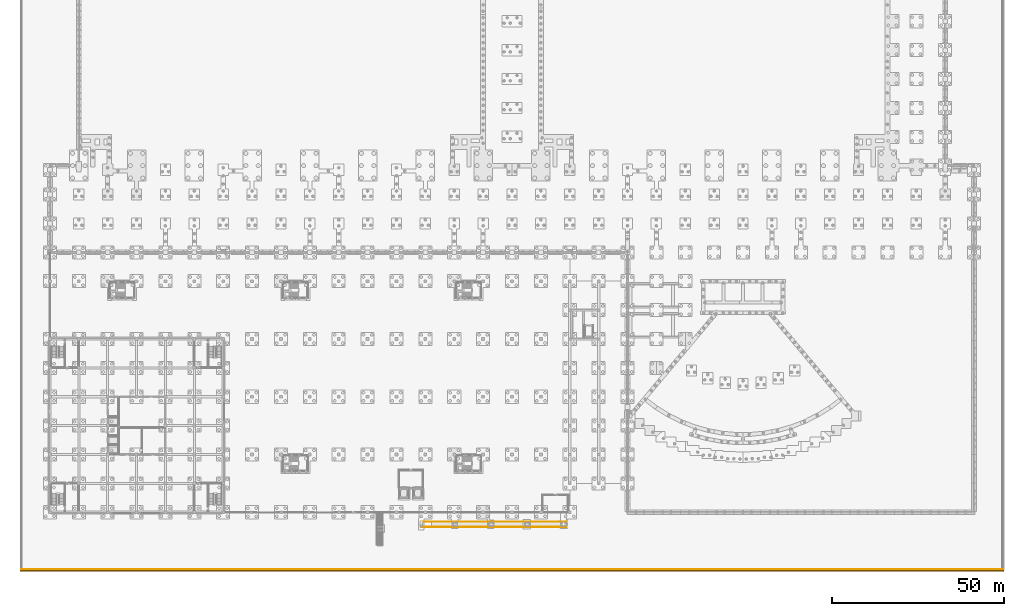
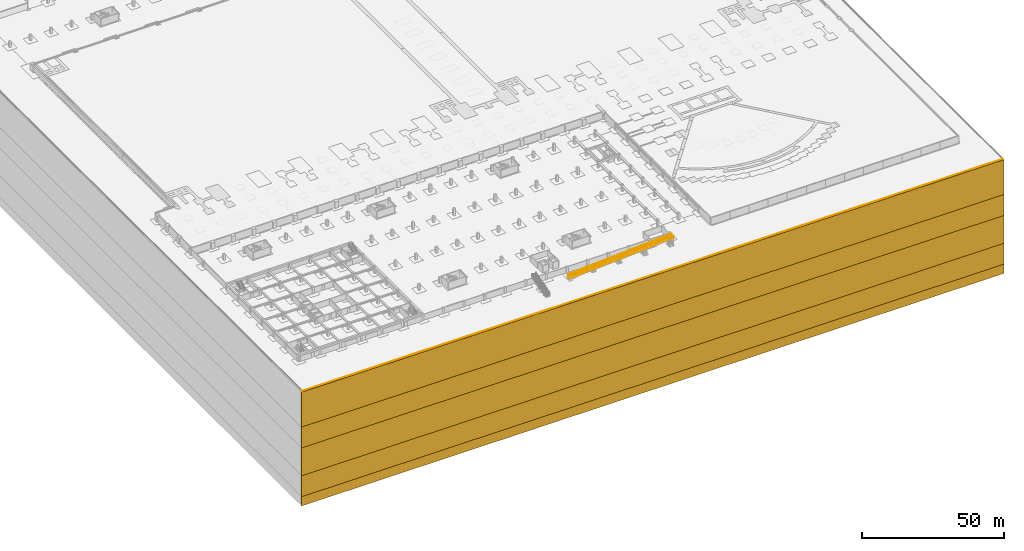
# One storey, part 57 of 67: 6 coverings, 3 railings.
"""IFC4 building model written with IfcOpenShell, lengths in metres."""

from ifc_helpers import new_model, si_unit, direction, frame, origin, origin_2d, place, context, subcontext, project, spatial, rectangle, circle, extrude, material, layer, layer_set, type_object, element, save


model = new_model("IFC4")

# Units and contexts
model_context = context("Model", 3, precision=1e-05, world=origin(), true_north=direction((0.0, 1.0)))
body_context = subcontext(model_context, "Body", "Model", "MODEL_VIEW")
ifc_project = project(units=[si_unit("LENGTHUNIT", "METRE"), si_unit("AREAUNIT", "SQUARE_METRE"), si_unit("VOLUMEUNIT", "CUBIC_METRE"), si_unit("PLANEANGLEUNIT", "RADIAN"), si_unit("MASSUNIT", "GRAM", prefix="KILO")], contexts=[model_context])

# Site, building, storey
site_placement = place(None, origin())
site = spatial("IfcSite", under=ifc_project, at=site_placement, CompositionType="ELEMENT")
building_placement = place(site_placement, origin())
building = spatial("IfcBuilding", under=site, at=building_placement, Name="Rain Tree Exposition and Congress Centre", CompositionType="ELEMENT")
storey_placement = place(building_placement, frame((0.0, 0.0, -3.0)))
storey = spatial("IfcBuildingStorey", under=building, at=storey_placement, Name="B1", CompositionType="ELEMENT", Elevation=-3.0)

# Covering
ifc_material_1 = material(Name="Granite", Category="masonry")
covering_type_1 = type_object("IfcCoveringType", Name="Granite kerb 200x150", PredefinedType="MOLDING", material=ifc_material_1)
covering_1_placement = place(storey_placement, frame((134.39990234375, -16.699951171875, 0.0), z_axis=(0.0, 0.0, 1.0), x_axis=(1.0, 0.0, 0.0)))
element("IfcCovering", 1, at=covering_1_placement, inside=storey, type_object=covering_type_1, Name="Boulevard kerb south", PredefinedType="MOLDING", context=body_context, shape_type="SweptSolid", body=[
    extrude(rectangle(XDim=285.60009765625, YDim=0.199951171875, at=origin_2d()), origin(), (0.0, 0.0, 1.0), 0.14990234375),
])

# Railings
ifc_material_2 = material(Name="Stainless steel", Category="steel")
railing_type_1 = type_object("IfcRailingType", Name="Guard 1100 stainless", PredefinedType="GUARDRAIL", material=ifc_material_2)
railing_1_placement = place(storey_placement, frame((108.0, -4.35009765625, 0.260009765625)))
element("IfcRailing", 2, at=railing_1_placement, inside=storey, type_object=railing_type_1, Name="Ramp south-guard", PredefinedType="GUARDRAIL", context=body_context, shape_type="SweptSolid", body=[
    extrude(circle(Radius=0.02490234375, at=origin_2d()), frame((0.0, 0.0, 1.0751953125), z_axis=(0.997115581818, 0.0, 0.075898066476), x_axis=(0.0, 1.0, 0.0)), (0.0, 0.0, 1.0), 9.026123046875),
    extrude(circle(Radius=0.02490234375, at=origin_2d()), frame((9.0, 0.0, 1.76025390625), z_axis=(1.0, 0.0, 0.0), x_axis=(0.0, 1.0, 0.0)), (0.0, 0.0, 1.0), 1.5),
    extrude(circle(Radius=0.02490234375, at=origin_2d()), frame((10.5, 0.0, 1.76025390625), z_axis=(0.997117628467, 0.0, 0.075871173716), x_axis=(0.0, 1.0, 0.0)), (0.0, 0.0, 1.0), 9.026123046875),
    extrude(circle(Radius=0.02490234375, at=origin_2d()), frame((19.5, 0.0, 2.44482421875), z_axis=(1.0, 0.0, 0.0), x_axis=(0.0, 1.0, 0.0)), (0.0, 0.0, 1.0), 1.5),
    extrude(circle(Radius=0.02490234375, at=origin_2d()), frame((21.0, 0.0, 2.44482421875), z_axis=(0.997115581818, 0.0, 0.075898066476), x_axis=(0.0, 1.0, 0.0)), (0.0, 0.0, 1.0), 9.026123046875),
    extrude(circle(Radius=0.02490234375, at=origin_2d()), frame((30.0, 0.0, 3.1298828125), z_axis=(1.0, 0.0, 0.0), x_axis=(0.0, 1.0, 0.0)), (0.0, 0.0, 1.0), 1.5),
    extrude(circle(Radius=0.02490234375, at=origin_2d()), frame((31.5, 0.0, 3.1298828125), z_axis=(0.997115581818, 0.0, 0.075898066476), x_axis=(0.0, 1.0, 0.0)), (0.0, 0.0, 1.0), 9.026123046875),
    extrude(circle(Radius=0.02490234375, at=origin_2d()), frame((40.5, 0.0, 3.81494140625), z_axis=(1.0, 0.0, 0.0), x_axis=(0.0, 1.0, 0.0)), (0.0, 0.0, 1.0), 1.800048828125),
    extrude(circle(Radius=0.02490234375, at=origin_2d()), origin(), (0.0, 0.0, 1.0), 1.050048828125),
    extrude(circle(Radius=0.02490234375, at=origin_2d()), frame((1.125, 0.0, 0.085693359375)), (0.0, 0.0, 1.0), 1.050048828125),
    extrude(circle(Radius=0.02490234375, at=origin_2d()), frame((2.25, 0.0, 0.17138671875)), (0.0, 0.0, 1.0), 1.050048828125),
    extrude(circle(Radius=0.02490234375, at=origin_2d()), frame((3.375, 0.0, 0.2568359375)), (0.0, 0.0, 1.0), 1.050048828125),
    extrude(circle(Radius=0.02490234375, at=origin_2d()), frame((4.5, 0.0, 0.342529296875)), (0.0, 0.0, 1.0), 1.050048828125),
    extrude(circle(Radius=0.02490234375, at=origin_2d()), frame((5.625, 0.0, 0.42822265625)), (0.0, 0.0, 1.0), 1.050048828125),
    extrude(circle(Radius=0.02490234375, at=origin_2d()), frame((6.75, 0.0, 0.513671875)), (0.0, 0.0, 1.0), 1.050048828125),
    extrude(circle(Radius=0.02490234375, at=origin_2d()), frame((7.875, 0.0, 0.599365234375)), (0.0, 0.0, 1.0), 1.050048828125),
    extrude(circle(Radius=0.02490234375, at=origin_2d()), frame((9.0, 0.0, 0.68505859375)), (0.0, 0.0, 1.0), 1.050048828125),
    extrude(circle(Radius=0.02490234375, at=origin_2d()), frame((9.75, 0.0, 0.68505859375)), (0.0, 0.0, 1.0), 1.050048828125),
    extrude(circle(Radius=0.02490234375, at=origin_2d()), frame((10.5, 0.0, 0.68505859375)), (0.0, 0.0, 1.0), 1.050048828125),
    extrude(circle(Radius=0.02490234375, at=origin_2d()), frame((11.625, 0.0, 0.770751953125)), (0.0, 0.0, 1.0), 1.050048828125),
    extrude(circle(Radius=0.02490234375, at=origin_2d()), frame((12.75, 0.0, 0.856201171875)), (0.0, 0.0, 1.0), 1.050048828125),
    extrude(circle(Radius=0.02490234375, at=origin_2d()), frame((13.875, 0.0, 0.94189453125)), (0.0, 0.0, 1.0), 1.050048828125),
    extrude(circle(Radius=0.02490234375, at=origin_2d()), frame((15.0, 0.0, 1.02734375)), (0.0, 0.0, 1.0), 1.050048828125),
    extrude(circle(Radius=0.02490234375, at=origin_2d()), frame((16.125, 0.0, 1.113037109375)), (0.0, 0.0, 1.0), 1.050048828125),
    extrude(circle(Radius=0.02490234375, at=origin_2d()), frame((17.25, 0.0, 1.19873046875)), (0.0, 0.0, 1.0), 1.050048828125),
    extrude(circle(Radius=0.02490234375, at=origin_2d()), frame((18.375, 0.0, 1.2841796875)), (0.0, 0.0, 1.0), 1.050048828125),
    extrude(circle(Radius=0.02490234375, at=origin_2d()), frame((19.5, 0.0, 1.369873046875)), (0.0, 0.0, 1.0), 1.050048828125),
    extrude(circle(Radius=0.02490234375, at=origin_2d()), frame((20.25, 0.0, 1.369873046875)), (0.0, 0.0, 1.0), 1.050048828125),
    extrude(circle(Radius=0.02490234375, at=origin_2d()), frame((21.0, 0.0, 1.369873046875)), (0.0, 0.0, 1.0), 1.050048828125),
    extrude(circle(Radius=0.02490234375, at=origin_2d()), frame((22.125, 0.0, 1.45556640625)), (0.0, 0.0, 1.0), 1.050048828125),
    extrude(circle(Radius=0.02490234375, at=origin_2d()), frame((23.25, 0.0, 1.541015625)), (0.0, 0.0, 1.0), 1.050048828125),
    extrude(circle(Radius=0.02490234375, at=origin_2d()), frame((24.375, 0.0, 1.626708984375)), (0.0, 0.0, 1.0), 1.050048828125),
    extrude(circle(Radius=0.02490234375, at=origin_2d()), frame((25.5, 0.0, 1.71240234375)), (0.0, 0.0, 1.0), 1.050048828125),
    extrude(circle(Radius=0.02490234375, at=origin_2d()), frame((26.625, 0.0, 1.798095703125)), (0.0, 0.0, 1.0), 1.050048828125),
    extrude(circle(Radius=0.02490234375, at=origin_2d()), frame((27.75, 0.0, 1.8837890625)), (0.0, 0.0, 1.0), 1.050048828125),
    extrude(circle(Radius=0.02490234375, at=origin_2d()), frame((28.875, 0.0, 1.96923828125)), (0.0, 0.0, 1.0), 1.050048828125),
    extrude(circle(Radius=0.02490234375, at=origin_2d()), frame((30.0, 0.0, 2.054931640625)), (0.0, 0.0, 1.0), 1.050048828125),
    extrude(circle(Radius=0.02490234375, at=origin_2d()), frame((30.75, 0.0, 2.054931640625)), (0.0, 0.0, 1.0), 1.050048828125),
    extrude(circle(Radius=0.02490234375, at=origin_2d()), frame((31.5, 0.0, 2.054931640625)), (0.0, 0.0, 1.0), 1.050048828125),
    extrude(circle(Radius=0.02490234375, at=origin_2d()), frame((32.625, 0.0, 2.140625)), (0.0, 0.0, 1.0), 1.050048828125),
    extrude(circle(Radius=0.02490234375, at=origin_2d()), frame((33.75, 0.0, 2.22607421875)), (0.0, 0.0, 1.0), 1.050048828125),
    extrude(circle(Radius=0.02490234375, at=origin_2d()), frame((34.875, 0.0, 2.311767578125)), (0.0, 0.0, 1.0), 1.050048828125),
    extrude(circle(Radius=0.02490234375, at=origin_2d()), frame((36.0, 0.0, 2.3974609375)), (0.0, 0.0, 1.0), 1.050048828125),
    extrude(circle(Radius=0.02490234375, at=origin_2d()), frame((37.125, 0.0, 2.483154296875)), (0.0, 0.0, 1.0), 1.050048828125),
    extrude(circle(Radius=0.02490234375, at=origin_2d()), frame((38.25, 0.0, 2.56884765625)), (0.0, 0.0, 1.0), 1.050048828125),
    extrude(circle(Radius=0.02490234375, at=origin_2d()), frame((39.375, 0.0, 2.654296875)), (0.0, 0.0, 1.0), 1.050048828125),
    extrude(circle(Radius=0.02490234375, at=origin_2d()), frame((40.5, 0.0, 2.739990234375)), (0.0, 0.0, 1.0), 1.050048828125),
    extrude(circle(Radius=0.02490234375, at=origin_2d()), frame((41.39990234375, 0.0, 2.739990234375)), (0.0, 0.0, 1.0), 1.050048828125),
    extrude(circle(Radius=0.02490234375, at=origin_2d()), frame((42.300048828125, 0.0, 2.739990234375)), (0.0, 0.0, 1.0), 1.050048828125),
])
ifc_material_3 = material(Name="Stainless steel", Category="steel")
railing_type_2 = type_object("IfcRailingType", Name="Handrail 900 stainless", PredefinedType="HANDRAIL", material=ifc_material_3)
railing_2_placement = place(storey_placement, frame((108.0, -4.199951171875, 0.260009765625)))
element("IfcRailing", 3, at=railing_2_placement, inside=storey, type_object=railing_type_2, Name="Ramp south-hand", PredefinedType="HANDRAIL", context=body_context, shape_type="SweptSolid", body=[
    extrude(circle(Radius=0.02490234375, at=origin_2d()), frame((0.0, 0.0, 0.875), z_axis=(0.997115581818, 0.0, 0.075898066476), x_axis=(0.0, 1.0, 0.0)), (0.0, 0.0, 1.0), 9.026123046875),
    extrude(circle(Radius=0.02490234375, at=origin_2d()), frame((9.0, 0.0, 1.56005859375), z_axis=(1.0, 0.0, 0.0), x_axis=(0.0, 1.0, 0.0)), (0.0, 0.0, 1.0), 1.5),
    extrude(circle(Radius=0.02490234375, at=origin_2d()), frame((10.5, 0.0, 1.56005859375), z_axis=(0.997117628467, 0.0, 0.075871173716), x_axis=(0.0, 1.0, 0.0)), (0.0, 0.0, 1.0), 9.026123046875),
    extrude(circle(Radius=0.02490234375, at=origin_2d()), frame((19.5, 0.0, 2.24462890625), z_axis=(1.0, 0.0, 0.0), x_axis=(0.0, 1.0, 0.0)), (0.0, 0.0, 1.0), 1.5),
    extrude(circle(Radius=0.02490234375, at=origin_2d()), frame((21.0, 0.0, 2.24462890625), z_axis=(0.997115581818, 0.0, 0.075898066476), x_axis=(0.0, 1.0, 0.0)), (0.0, 0.0, 1.0), 9.026123046875),
    extrude(circle(Radius=0.02490234375, at=origin_2d()), frame((30.0, 0.0, 2.9296875), z_axis=(1.0, 0.0, 0.0), x_axis=(0.0, 1.0, 0.0)), (0.0, 0.0, 1.0), 1.5),
    extrude(circle(Radius=0.02490234375, at=origin_2d()), frame((31.5, 0.0, 2.9296875), z_axis=(0.997115581818, 0.0, 0.075898066476), x_axis=(0.0, 1.0, 0.0)), (0.0, 0.0, 1.0), 9.026123046875),
    extrude(circle(Radius=0.02490234375, at=origin_2d()), frame((40.5, 0.0, 3.61474609375), z_axis=(1.0, 0.0, 0.0), x_axis=(0.0, 1.0, 0.0)), (0.0, 0.0, 1.0), 1.800048828125),
    extrude(circle(Radius=0.02490234375, at=origin_2d()), origin(), (0.0, 0.0, 1.0), 0.849853515625),
    extrude(circle(Radius=0.02490234375, at=origin_2d()), frame((1.125, 0.0, 0.085693359375)), (0.0, 0.0, 1.0), 0.849853515625),
    extrude(circle(Radius=0.02490234375, at=origin_2d()), frame((2.25, 0.0, 0.17138671875)), (0.0, 0.0, 1.0), 0.849853515625),
    extrude(circle(Radius=0.02490234375, at=origin_2d()), frame((3.375, 0.0, 0.2568359375)), (0.0, 0.0, 1.0), 0.849853515625),
    extrude(circle(Radius=0.02490234375, at=origin_2d()), frame((4.5, 0.0, 0.342529296875)), (0.0, 0.0, 1.0), 0.849853515625),
    extrude(circle(Radius=0.02490234375, at=origin_2d()), frame((5.625, 0.0, 0.42822265625)), (0.0, 0.0, 1.0), 0.849853515625),
    extrude(circle(Radius=0.02490234375, at=origin_2d()), frame((6.75, 0.0, 0.513671875)), (0.0, 0.0, 1.0), 0.849853515625),
    extrude(circle(Radius=0.02490234375, at=origin_2d()), frame((7.875, 0.0, 0.599365234375)), (0.0, 0.0, 1.0), 0.849853515625),
    extrude(circle(Radius=0.02490234375, at=origin_2d()), frame((9.0, 0.0, 0.68505859375)), (0.0, 0.0, 1.0), 0.849853515625),
    extrude(circle(Radius=0.02490234375, at=origin_2d()), frame((9.75, 0.0, 0.68505859375)), (0.0, 0.0, 1.0), 0.849853515625),
    extrude(circle(Radius=0.02490234375, at=origin_2d()), frame((10.5, 0.0, 0.68505859375)), (0.0, 0.0, 1.0), 0.849853515625),
    extrude(circle(Radius=0.02490234375, at=origin_2d()), frame((11.625, 0.0, 0.770751953125)), (0.0, 0.0, 1.0), 0.849853515625),
    extrude(circle(Radius=0.02490234375, at=origin_2d()), frame((12.75, 0.0, 0.856201171875)), (0.0, 0.0, 1.0), 0.849853515625),
    extrude(circle(Radius=0.02490234375, at=origin_2d()), frame((13.875, 0.0, 0.94189453125)), (0.0, 0.0, 1.0), 0.849853515625),
    extrude(circle(Radius=0.02490234375, at=origin_2d()), frame((15.0, 0.0, 1.02734375)), (0.0, 0.0, 1.0), 0.849853515625),
    extrude(circle(Radius=0.02490234375, at=origin_2d()), frame((16.125, 0.0, 1.113037109375)), (0.0, 0.0, 1.0), 0.849853515625),
    extrude(circle(Radius=0.02490234375, at=origin_2d()), frame((17.25, 0.0, 1.19873046875)), (0.0, 0.0, 1.0), 0.849853515625),
    extrude(circle(Radius=0.02490234375, at=origin_2d()), frame((18.375, 0.0, 1.2841796875)), (0.0, 0.0, 1.0), 0.849853515625),
    extrude(circle(Radius=0.02490234375, at=origin_2d()), frame((19.5, 0.0, 1.369873046875)), (0.0, 0.0, 1.0), 0.849853515625),
    extrude(circle(Radius=0.02490234375, at=origin_2d()), frame((20.25, 0.0, 1.369873046875)), (0.0, 0.0, 1.0), 0.849853515625),
    extrude(circle(Radius=0.02490234375, at=origin_2d()), frame((21.0, 0.0, 1.369873046875)), (0.0, 0.0, 1.0), 0.849853515625),
    extrude(circle(Radius=0.02490234375, at=origin_2d()), frame((22.125, 0.0, 1.45556640625)), (0.0, 0.0, 1.0), 0.849853515625),
    extrude(circle(Radius=0.02490234375, at=origin_2d()), frame((23.25, 0.0, 1.541015625)), (0.0, 0.0, 1.0), 0.849853515625),
    extrude(circle(Radius=0.02490234375, at=origin_2d()), frame((24.375, 0.0, 1.626708984375)), (0.0, 0.0, 1.0), 0.849853515625),
    extrude(circle(Radius=0.02490234375, at=origin_2d()), frame((25.5, 0.0, 1.71240234375)), (0.0, 0.0, 1.0), 0.849853515625),
    extrude(circle(Radius=0.02490234375, at=origin_2d()), frame((26.625, 0.0, 1.798095703125)), (0.0, 0.0, 1.0), 0.849853515625),
    extrude(circle(Radius=0.02490234375, at=origin_2d()), frame((27.75, 0.0, 1.8837890625)), (0.0, 0.0, 1.0), 0.849853515625),
    extrude(circle(Radius=0.02490234375, at=origin_2d()), frame((28.875, 0.0, 1.96923828125)), (0.0, 0.0, 1.0), 0.849853515625),
    extrude(circle(Radius=0.02490234375, at=origin_2d()), frame((30.0, 0.0, 2.054931640625)), (0.0, 0.0, 1.0), 0.849853515625),
    extrude(circle(Radius=0.02490234375, at=origin_2d()), frame((30.75, 0.0, 2.054931640625)), (0.0, 0.0, 1.0), 0.849853515625),
    extrude(circle(Radius=0.02490234375, at=origin_2d()), frame((31.5, 0.0, 2.054931640625)), (0.0, 0.0, 1.0), 0.849853515625),
    extrude(circle(Radius=0.02490234375, at=origin_2d()), frame((32.625, 0.0, 2.140625)), (0.0, 0.0, 1.0), 0.849853515625),
    extrude(circle(Radius=0.02490234375, at=origin_2d()), frame((33.75, 0.0, 2.22607421875)), (0.0, 0.0, 1.0), 0.849853515625),
    extrude(circle(Radius=0.02490234375, at=origin_2d()), frame((34.875, 0.0, 2.311767578125)), (0.0, 0.0, 1.0), 0.849853515625),
    extrude(circle(Radius=0.02490234375, at=origin_2d()), frame((36.0, 0.0, 2.3974609375)), (0.0, 0.0, 1.0), 0.849853515625),
    extrude(circle(Radius=0.02490234375, at=origin_2d()), frame((37.125, 0.0, 2.483154296875)), (0.0, 0.0, 1.0), 0.849853515625),
    extrude(circle(Radius=0.02490234375, at=origin_2d()), frame((38.25, 0.0, 2.56884765625)), (0.0, 0.0, 1.0), 0.849853515625),
    extrude(circle(Radius=0.02490234375, at=origin_2d()), frame((39.375, 0.0, 2.654296875)), (0.0, 0.0, 1.0), 0.849853515625),
    extrude(circle(Radius=0.02490234375, at=origin_2d()), frame((40.5, 0.0, 2.739990234375)), (0.0, 0.0, 1.0), 0.849853515625),
    extrude(circle(Radius=0.02490234375, at=origin_2d()), frame((41.39990234375, 0.0, 2.739990234375)), (0.0, 0.0, 1.0), 0.849853515625),
    extrude(circle(Radius=0.02490234375, at=origin_2d()), frame((42.300048828125, 0.0, 2.739990234375)), (0.0, 0.0, 1.0), 0.849853515625),
])
railing_3_placement = place(storey_placement, frame((108.0, -2.800048828125, 0.260009765625)))
element("IfcRailing", 4, at=railing_3_placement, inside=storey, type_object=railing_type_2, Name="Ramp north-hand", PredefinedType="HANDRAIL", context=body_context, shape_type="SweptSolid", body=[
    extrude(circle(Radius=0.02490234375, at=origin_2d()), frame((0.0, 0.0, 0.875), z_axis=(0.997115581818, 0.0, 0.075898066476), x_axis=(0.0, 1.0, 0.0)), (0.0, 0.0, 1.0), 9.026123046875),
    extrude(circle(Radius=0.02490234375, at=origin_2d()), frame((9.0, 0.0, 1.56005859375), z_axis=(1.0, 0.0, 0.0), x_axis=(0.0, 1.0, 0.0)), (0.0, 0.0, 1.0), 1.5),
    extrude(circle(Radius=0.02490234375, at=origin_2d()), frame((10.5, 0.0, 1.56005859375), z_axis=(0.997117628467, 0.0, 0.075871173716), x_axis=(0.0, 1.0, 0.0)), (0.0, 0.0, 1.0), 9.026123046875),
    extrude(circle(Radius=0.02490234375, at=origin_2d()), frame((19.5, 0.0, 2.24462890625), z_axis=(1.0, 0.0, 0.0), x_axis=(0.0, 1.0, 0.0)), (0.0, 0.0, 1.0), 1.5),
    extrude(circle(Radius=0.02490234375, at=origin_2d()), frame((21.0, 0.0, 2.24462890625), z_axis=(0.997115581818, 0.0, 0.075898066476), x_axis=(0.0, 1.0, 0.0)), (0.0, 0.0, 1.0), 9.026123046875),
    extrude(circle(Radius=0.02490234375, at=origin_2d()), frame((30.0, 0.0, 2.9296875), z_axis=(1.0, 0.0, 0.0), x_axis=(0.0, 1.0, 0.0)), (0.0, 0.0, 1.0), 1.5),
    extrude(circle(Radius=0.02490234375, at=origin_2d()), frame((31.5, 0.0, 2.9296875), z_axis=(0.997115581818, 0.0, 0.075898066476), x_axis=(0.0, 1.0, 0.0)), (0.0, 0.0, 1.0), 9.026123046875),
    extrude(circle(Radius=0.02490234375, at=origin_2d()), frame((40.5, 0.0, 3.61474609375), z_axis=(1.0, 0.0, 0.0), x_axis=(0.0, 1.0, 0.0)), (0.0, 0.0, 1.0), 1.800048828125),
    extrude(circle(Radius=0.02490234375, at=origin_2d()), origin(), (0.0, 0.0, 1.0), 0.849853515625),
    extrude(circle(Radius=0.02490234375, at=origin_2d()), frame((1.125, 0.0, 0.085693359375)), (0.0, 0.0, 1.0), 0.849853515625),
    extrude(circle(Radius=0.02490234375, at=origin_2d()), frame((2.25, 0.0, 0.17138671875)), (0.0, 0.0, 1.0), 0.849853515625),
    extrude(circle(Radius=0.02490234375, at=origin_2d()), frame((3.375, 0.0, 0.2568359375)), (0.0, 0.0, 1.0), 0.849853515625),
    extrude(circle(Radius=0.02490234375, at=origin_2d()), frame((4.5, 0.0, 0.342529296875)), (0.0, 0.0, 1.0), 0.849853515625),
    extrude(circle(Radius=0.02490234375, at=origin_2d()), frame((5.625, 0.0, 0.42822265625)), (0.0, 0.0, 1.0), 0.849853515625),
    extrude(circle(Radius=0.02490234375, at=origin_2d()), frame((6.75, 0.0, 0.513671875)), (0.0, 0.0, 1.0), 0.849853515625),
    extrude(circle(Radius=0.02490234375, at=origin_2d()), frame((7.875, 0.0, 0.599365234375)), (0.0, 0.0, 1.0), 0.849853515625),
    extrude(circle(Radius=0.02490234375, at=origin_2d()), frame((9.0, 0.0, 0.68505859375)), (0.0, 0.0, 1.0), 0.849853515625),
    extrude(circle(Radius=0.02490234375, at=origin_2d()), frame((9.75, 0.0, 0.68505859375)), (0.0, 0.0, 1.0), 0.849853515625),
    extrude(circle(Radius=0.02490234375, at=origin_2d()), frame((10.5, 0.0, 0.68505859375)), (0.0, 0.0, 1.0), 0.849853515625),
    extrude(circle(Radius=0.02490234375, at=origin_2d()), frame((11.625, 0.0, 0.770751953125)), (0.0, 0.0, 1.0), 0.849853515625),
    extrude(circle(Radius=0.02490234375, at=origin_2d()), frame((12.75, 0.0, 0.856201171875)), (0.0, 0.0, 1.0), 0.849853515625),
    extrude(circle(Radius=0.02490234375, at=origin_2d()), frame((13.875, 0.0, 0.94189453125)), (0.0, 0.0, 1.0), 0.849853515625),
    extrude(circle(Radius=0.02490234375, at=origin_2d()), frame((15.0, 0.0, 1.02734375)), (0.0, 0.0, 1.0), 0.849853515625),
    extrude(circle(Radius=0.02490234375, at=origin_2d()), frame((16.125, 0.0, 1.113037109375)), (0.0, 0.0, 1.0), 0.849853515625),
    extrude(circle(Radius=0.02490234375, at=origin_2d()), frame((17.25, 0.0, 1.19873046875)), (0.0, 0.0, 1.0), 0.849853515625),
    extrude(circle(Radius=0.02490234375, at=origin_2d()), frame((18.375, 0.0, 1.2841796875)), (0.0, 0.0, 1.0), 0.849853515625),
    extrude(circle(Radius=0.02490234375, at=origin_2d()), frame((19.5, 0.0, 1.369873046875)), (0.0, 0.0, 1.0), 0.849853515625),
    extrude(circle(Radius=0.02490234375, at=origin_2d()), frame((20.25, 0.0, 1.369873046875)), (0.0, 0.0, 1.0), 0.849853515625),
    extrude(circle(Radius=0.02490234375, at=origin_2d()), frame((21.0, 0.0, 1.369873046875)), (0.0, 0.0, 1.0), 0.849853515625),
    extrude(circle(Radius=0.02490234375, at=origin_2d()), frame((22.125, 0.0, 1.45556640625)), (0.0, 0.0, 1.0), 0.849853515625),
    extrude(circle(Radius=0.02490234375, at=origin_2d()), frame((23.25, 0.0, 1.541015625)), (0.0, 0.0, 1.0), 0.849853515625),
    extrude(circle(Radius=0.02490234375, at=origin_2d()), frame((24.375, 0.0, 1.626708984375)), (0.0, 0.0, 1.0), 0.849853515625),
    extrude(circle(Radius=0.02490234375, at=origin_2d()), frame((25.5, 0.0, 1.71240234375)), (0.0, 0.0, 1.0), 0.849853515625),
    extrude(circle(Radius=0.02490234375, at=origin_2d()), frame((26.625, 0.0, 1.798095703125)), (0.0, 0.0, 1.0), 0.849853515625),
    extrude(circle(Radius=0.02490234375, at=origin_2d()), frame((27.75, 0.0, 1.8837890625)), (0.0, 0.0, 1.0), 0.849853515625),
    extrude(circle(Radius=0.02490234375, at=origin_2d()), frame((28.875, 0.0, 1.96923828125)), (0.0, 0.0, 1.0), 0.849853515625),
    extrude(circle(Radius=0.02490234375, at=origin_2d()), frame((30.0, 0.0, 2.054931640625)), (0.0, 0.0, 1.0), 0.849853515625),
    extrude(circle(Radius=0.02490234375, at=origin_2d()), frame((30.75, 0.0, 2.054931640625)), (0.0, 0.0, 1.0), 0.849853515625),
    extrude(circle(Radius=0.02490234375, at=origin_2d()), frame((31.5, 0.0, 2.054931640625)), (0.0, 0.0, 1.0), 0.849853515625),
    extrude(circle(Radius=0.02490234375, at=origin_2d()), frame((32.625, 0.0, 2.140625)), (0.0, 0.0, 1.0), 0.849853515625),
    extrude(circle(Radius=0.02490234375, at=origin_2d()), frame((33.75, 0.0, 2.22607421875)), (0.0, 0.0, 1.0), 0.849853515625),
    extrude(circle(Radius=0.02490234375, at=origin_2d()), frame((34.875, 0.0, 2.311767578125)), (0.0, 0.0, 1.0), 0.849853515625),
    extrude(circle(Radius=0.02490234375, at=origin_2d()), frame((36.0, 0.0, 2.3974609375)), (0.0, 0.0, 1.0), 0.849853515625),
    extrude(circle(Radius=0.02490234375, at=origin_2d()), frame((37.125, 0.0, 2.483154296875)), (0.0, 0.0, 1.0), 0.849853515625),
    extrude(circle(Radius=0.02490234375, at=origin_2d()), frame((38.25, 0.0, 2.56884765625)), (0.0, 0.0, 1.0), 0.849853515625),
    extrude(circle(Radius=0.02490234375, at=origin_2d()), frame((39.375, 0.0, 2.654296875)), (0.0, 0.0, 1.0), 0.849853515625),
    extrude(circle(Radius=0.02490234375, at=origin_2d()), frame((40.5, 0.0, 2.739990234375)), (0.0, 0.0, 1.0), 0.849853515625),
    extrude(circle(Radius=0.02490234375, at=origin_2d()), frame((41.39990234375, 0.0, 2.739990234375)), (0.0, 0.0, 1.0), 0.849853515625),
    extrude(circle(Radius=0.02490234375, at=origin_2d()), frame((42.300048828125, 0.0, 2.739990234375)), (0.0, 0.0, 1.0), 0.849853515625),
])

# Coverings
ifc_material_4 = material(Name="Soil-cement slurry", Category="soil")
ifc_layer = layer(ifc_material_4, 0.300048828125)
ifc_layer_set = layer_set([ifc_layer], Name="Soil-cement slurry")
covering_type_2 = type_object("IfcCoveringType", Name="Perimeter cut-off screen 300", PredefinedType="MEMBRANE", material=ifc_layer_set)
covering_2_placement = place(storey_placement, frame((134.39990234375, -16.949951171875, -15.0), z_axis=(0.0, 0.0, 1.0), x_axis=(1.0, 0.0, 0.0)))
element("IfcCovering", 5, at=covering_2_placement, inside=storey, type_object=covering_type_2, Name="Perimeter cut-off screen south, soft clay", PredefinedType="MEMBRANE", context=body_context, shape_type="SweptSolid", body=[
    extrude(rectangle(XDim=286.199951171875, YDim=0.300048828125, at=origin_2d()), origin(), (0.0, 0.0, 1.0), 15.0),
])
covering_3_placement = place(storey_placement, frame((134.39990234375, -16.949951171875, -24.0), z_axis=(0.0, 0.0, 1.0), x_axis=(1.0, 0.0, 0.0)))
element("IfcCovering", 6, at=covering_3_placement, inside=storey, type_object=covering_type_2, Name="Perimeter cut-off screen south, stiff clay", PredefinedType="MEMBRANE", context=body_context, shape_type="SweptSolid", body=[
    extrude(rectangle(XDim=286.199951171875, YDim=0.300048828125, at=origin_2d()), origin(), (0.0, 0.0, 1.0), 9.0),
])
covering_4_placement = place(storey_placement, frame((134.39990234375, -16.949951171875, -36.0), z_axis=(0.0, 0.0, 1.0), x_axis=(1.0, 0.0, 0.0)))
element("IfcCovering", 7, at=covering_4_placement, inside=storey, type_object=covering_type_2, Name="Perimeter cut-off screen south, first dense sand", PredefinedType="MEMBRANE", context=body_context, shape_type="SweptSolid", body=[
    extrude(rectangle(XDim=286.199951171875, YDim=0.300048828125, at=origin_2d()), origin(), (0.0, 0.0, 1.0), 12.0),
])
covering_5_placement = place(storey_placement, frame((134.39990234375, -16.949951171875, -45.0), z_axis=(0.0, 0.0, 1.0), x_axis=(1.0, 0.0, 0.0)))
element("IfcCovering", 8, at=covering_5_placement, inside=storey, type_object=covering_type_2, Name="Perimeter cut-off screen south, hard clay", PredefinedType="MEMBRANE", context=body_context, shape_type="SweptSolid", body=[
    extrude(rectangle(XDim=286.199951171875, YDim=0.300048828125, at=origin_2d()), origin(), (0.0, 0.0, 1.0), 9.0),
])
covering_6_placement = place(storey_placement, frame((134.39990234375, -16.949951171875, -49.0), z_axis=(0.0, 0.0, 1.0), x_axis=(1.0, 0.0, 0.0)))
element("IfcCovering", 9, at=covering_6_placement, inside=storey, type_object=covering_type_2, Name="Perimeter cut-off screen south, second dense sand", PredefinedType="MEMBRANE", context=body_context, shape_type="SweptSolid", body=[
    extrude(rectangle(XDim=286.199951171875, YDim=0.300048828125, at=origin_2d()), origin(), (0.0, 0.0, 1.0), 4.0),
])

save(model, "model.ifc")
